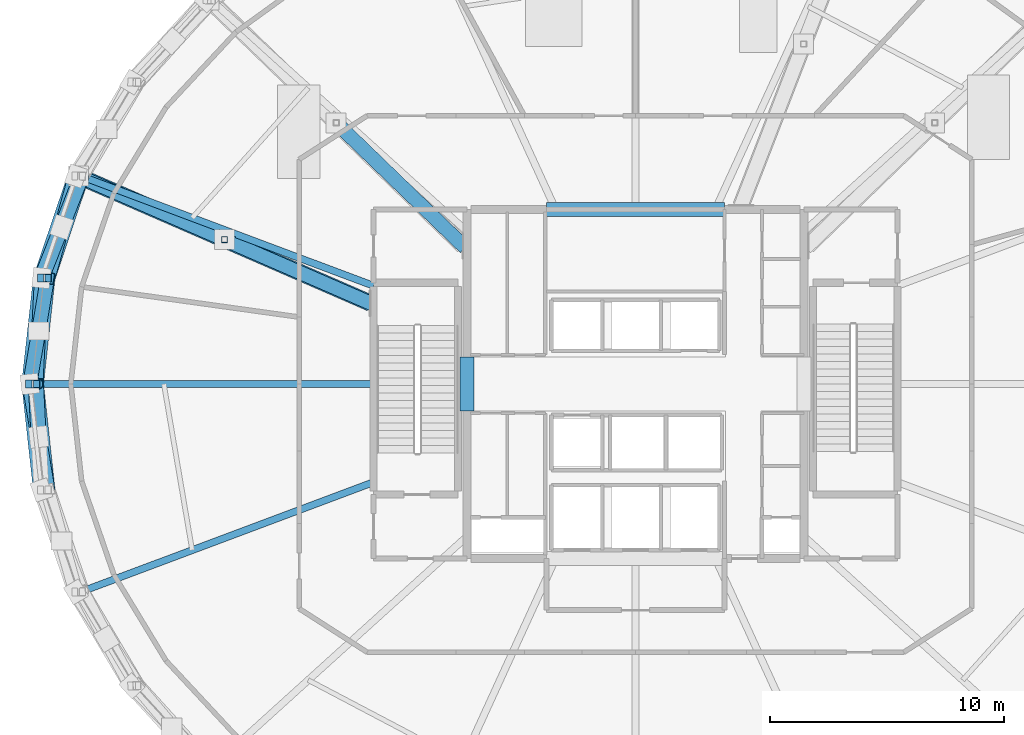
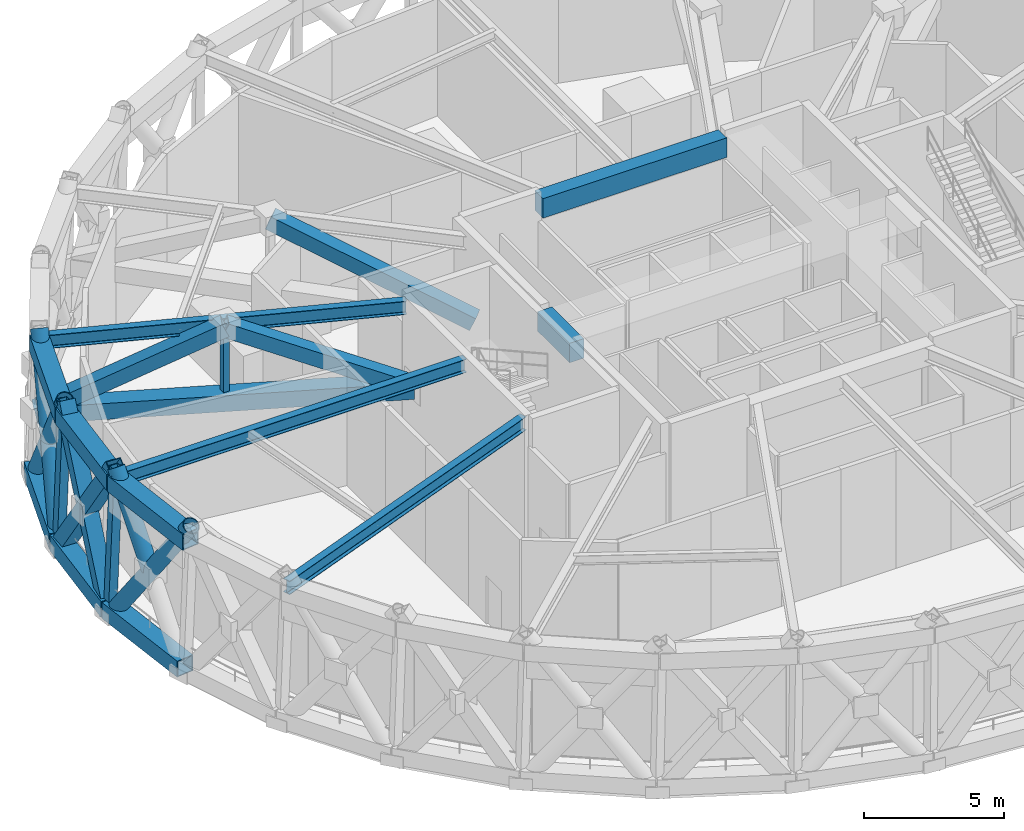
# One storey, part 2 of 15: 14 members, 12 beams.
"""IFC4 building model written with IfcOpenShell, lengths in metres."""

import ifcopenshell
import ifcopenshell.guid

model = None  # the IFC model being written
_history = None  # IfcOwnerHistory: only IFC2X3 demands one
_inside = {}  # id of a spatial element -> (the spatial element, [elements in it])
_under = {}  # id of a project, library or spatial element -> (it, [spatial elements below it])
_declared = {}  # id of a project -> (the project, [libraries it declares])
_typed = {}  # id of a type object -> (the type object, [elements of that type])
_made_of = {}  # id of a material, layer set ... -> (it, [elements and type objects made of it])


def new_model(schema):
    """Start an empty IFC model of exactly this schema.

    Asked for "IFC4X3", IfcOpenShell would pick the latest addendum, in which some entities
    have other attributes; the version numbers below select the first issue.
    IFC2X3 requires an IfcOwnerHistory on every rooted entity: one is made here for all.
    """
    global model, _history
    if schema == "IFC4X3":
        model = ifcopenshell.file(schema_version=(4, 3, 0, 0))
    else:
        model = ifcopenshell.file(schema=schema)
    _inside.clear()
    _under.clear()
    _declared.clear()
    _typed.clear()
    _made_of.clear()
    _history = None
    if model.schema == "IFC2X3":
        org = make("IfcOrganization", Name="unknown")
        user = make(
            "IfcPersonAndOrganization",
            ThePerson=make("IfcPerson", FamilyName="unknown"),
            TheOrganization=org,
        )
        app = make(
            "IfcApplication",
            ApplicationDeveloper=org,
            Version="unknown",
            ApplicationFullName="unknown",
            ApplicationIdentifier="unknown",
        )
        _history = make(
            "IfcOwnerHistory",
            OwningUser=user,
            OwningApplication=app,
            ChangeAction="ADDED",
            CreationDate=0,
        )
    return model


def make(cls, **values):
    """One entity of the class cls with the attributes given. An attribute that is None is left unset."""
    return model.create_entity(
        cls, **{name: value for name, value in values.items() if value is not None}
    )


def rooted(cls, **values):
    """An entity with a GlobalId (a new one), such as an element, a storey or a relation."""
    return make(cls, GlobalId=ifcopenshell.guid.new(), OwnerHistory=_history, **values)


def si_unit(unit_type, name, prefix=None):
    """IfcSIUnit, for example si_unit("LENGTHUNIT", "METRE", prefix="MILLI")."""
    return make("IfcSIUnit", UnitType=unit_type, Prefix=prefix, Name=name)


def assignment(units):
    """IfcUnitAssignment: the units of a project."""
    return None if units is None else make("IfcUnitAssignment", Units=units)


def point(xyz):
    """IfcCartesianPoint."""
    return None if xyz is None else make("IfcCartesianPoint", Coordinates=xyz)


def direction(xyz):
    """IfcDirection."""
    return None if xyz is None else make("IfcDirection", DirectionRatios=xyz)


def frame(location, z_axis=None, x_axis=None):
    """IfcAxis2Placement3D, a coordinate frame: its origin and axes. An axis left out is left unset."""
    return make(
        "IfcAxis2Placement3D",
        Location=point(location),
        Axis=direction(z_axis),
        RefDirection=direction(x_axis),
    )


def frame_2d(location, x_axis=None):
    """IfcAxis2Placement2D, a coordinate frame in the plane: its origin and x axis."""
    return make(
        "IfcAxis2Placement2D", Location=point(location), RefDirection=direction(x_axis)
    )


def origin():
    """The frame at (0, 0, 0) with its axes left unset."""
    return frame((0.0, 0.0, 0.0))


def origin_2d():
    """The frame at (0, 0) in the plane with its x axis left unset."""
    return frame_2d((0.0, 0.0))


def place(relative_to, where):
    """IfcLocalPlacement: puts the frame where relative to a parent placement (None: the world)."""
    return make(
        "IfcLocalPlacement", PlacementRelTo=relative_to, RelativePlacement=where
    )


def context(
    kind, dimensions, precision=None, world=None, true_north=None, identifier=None
):
    """IfcGeometricRepresentationContext, for example the 3D "Model" context."""
    return make(
        "IfcGeometricRepresentationContext",
        ContextIdentifier=identifier,
        ContextType=kind,
        CoordinateSpaceDimension=dimensions,
        Precision=precision,
        WorldCoordinateSystem=world,
        TrueNorth=true_north,
    )


def subcontext(parent, identifier, kind, view, scale=None):
    """IfcGeometricRepresentationSubContext, for example "Body" below "Model"."""
    return make(
        "IfcGeometricRepresentationSubContext",
        ContextIdentifier=identifier,
        ContextType=kind,
        ParentContext=parent,
        TargetScale=scale,
        TargetView=view,
    )


def project(units=None, contexts=None):
    """IfcProject with its units and contexts."""
    return rooted(
        "IfcProject",
        Name="project",
        RepresentationContexts=contexts,
        UnitsInContext=assignment(units),
    )


def spatial(cls, under=None, at=None, **own):
    """A site, building, storey or space (cls), placed at a placement, below another one or the project."""
    s = rooted(cls, ObjectPlacement=at, **own)
    if under is not None:
        _under.setdefault(under.id(), (under, []))[1].append(s)
    return s


def profile(cls, at=None, kind="AREA", **sizes):
    """A parametric profile (cls). Its sizes go by their IFC names, for example OverallWidth=200.0."""
    return make(cls, ProfileType=kind, Position=at, **sizes)


def rectangle(**sizes):
    """IfcRectangleProfileDef."""
    return profile("IfcRectangleProfileDef", **sizes)


def hollow_rectangle(**sizes):
    """IfcRectangleHollowProfileDef."""
    return profile("IfcRectangleHollowProfileDef", **sizes)


def hollow_circle(**sizes):
    """IfcCircleHollowProfileDef."""
    return profile("IfcCircleHollowProfileDef", **sizes)


def i_section(**sizes):
    """IfcIShapeProfileDef."""
    return profile("IfcIShapeProfileDef", **sizes)


def extrude(swept, where, along, depth):
    """IfcExtrudedAreaSolid: the profile swept, set in the frame where, extruded along a direction by depth."""
    return make(
        "IfcExtrudedAreaSolid",
        SweptArea=swept,
        Position=where,
        ExtrudedDirection=direction(along),
        Depth=depth,
    )


def shape(context_of_items, identifier, shape_type, items):
    """IfcShapeRepresentation: the items that make up one representation, for example the "Body"."""
    return make(
        "IfcShapeRepresentation",
        ContextOfItems=context_of_items,
        RepresentationIdentifier=identifier,
        RepresentationType=shape_type,
        Items=items,
    )


def material(Name=None, Category=None):
    """IfcMaterial."""
    return make("IfcMaterial", Name=Name, Category=Category)


def material_profile(
    of_material, cross_section, Name=None, Category=None, Priority=None
):
    """IfcMaterialProfile: a cross section and its material."""
    return make(
        "IfcMaterialProfile",
        Name=Name,
        Material=of_material,
        Profile=cross_section,
        Priority=Priority,
        Category=Category,
    )


def profile_set(profiles, Name=None, composite=None):
    """IfcMaterialProfileSet."""
    return make(
        "IfcMaterialProfileSet",
        Name=Name,
        MaterialProfiles=profiles,
        CompositeProfile=composite,
    )


def made_of(thing, what):
    """Note that an element or type object is made of a material, layer set ...; save() writes the relation."""
    if what is not None:
        _made_of.setdefault(what.id(), (what, []))[1].append(thing)
    return thing


def type_object(cls, material=None, **own):
    """A type object (cls), such as IfcWallType, which elements share."""
    return made_of(rooted(cls, **own), material)


def element(
    cls,
    number,
    at=None,
    inside=None,
    cuts=None,
    type_object=None,
    material=None,
    context=None,
    identifier="Body",
    shape_type=None,
    held_by="IfcProductDefinitionShape",
    body=None,
    shapes=None,
    **own,
):
    """One element of the class cls, such as IfcWall. Its Tag is "e" and its number.

    at: its placement. inside: the storey or other place that contains it. cuts: it is an
    opening in that element (IfcRelVoidsElement). A single representation is given by context,
    identifier, shape_type and body (its items); several are given by shapes. held_by: the class
    of the entity that holds the representations. save() writes the other relations.
    """
    e = rooted(cls, Tag="e%d" % number, ObjectPlacement=at, **own)
    if body is not None:
        shapes = [shape(context, identifier, shape_type, body)]
    if shapes is not None:
        e.Representation = make(held_by, Representations=shapes)
    if inside is not None:
        _inside.setdefault(inside.id(), (inside, []))[1].append(e)
    if cuts is not None:
        rooted(
            "IfcRelVoidsElement", RelatingBuildingElement=cuts, RelatedOpeningElement=e
        )
    if type_object is not None:
        _typed.setdefault(type_object.id(), (type_object, []))[1].append(e)
    return made_of(e, material)


def aggregate(whole, parts):
    """IfcRelAggregates: a whole, such as a stair, and the parts it consists of."""
    return rooted("IfcRelAggregates", RelatingObject=whole, RelatedObjects=parts)


def save(model, path):
    """Write the relations noted so far, then the file.

    IfcRelAggregates (storeys below a building ...), IfcRelContainedInSpatialStructure (elements
    in a storey), IfcRelDefinesByType, IfcRelAssociatesMaterial and IfcRelDeclares: one each for
    every whole, place, type object, material and project.
    """
    for whole, parts in _under.values():
        aggregate(whole, parts)
    for where, things in _inside.values():
        rooted(
            "IfcRelContainedInSpatialStructure",
            RelatedElements=things,
            RelatingStructure=where,
        )
    for kind, things in _typed.values():
        rooted("IfcRelDefinesByType", RelatedObjects=things, RelatingType=kind)
    for what, things in _made_of.values():
        rooted("IfcRelAssociatesMaterial", RelatedObjects=things, RelatingMaterial=what)
    for by, libraries in _declared.values():
        rooted("IfcRelDeclares", RelatingContext=by, RelatedDefinitions=libraries)
    model.write(path)


model = new_model("IFC4")

# Units and contexts
model_context = context("Model", 3, precision=1e-05, world=origin(), true_north=direction((0.0, 1.0)))
body_context = subcontext(model_context, "Body", "Model", "MODEL_VIEW")
ifc_project = project(units=[si_unit("LENGTHUNIT", "METRE"), si_unit("AREAUNIT", "SQUARE_METRE"), si_unit("VOLUMEUNIT", "CUBIC_METRE"), si_unit("PLANEANGLEUNIT", "RADIAN"), si_unit("MASSUNIT", "GRAM", prefix="KILO")], contexts=[model_context])

# Site, building, storey
site_placement = place(None, origin())
site = spatial("IfcSite", under=ifc_project, at=site_placement, CompositionType="ELEMENT")
building_placement = place(site_placement, origin())
building = spatial("IfcBuilding", under=site, at=building_placement, Name="Veldorina Hangang Commons", CompositionType="ELEMENT")
storey_placement = place(building_placement, frame((0.0, 0.0, 208.39990234375)))
storey = spatial("IfcBuildingStorey", under=building, at=storey_placement, Name="L54", CompositionType="ELEMENT", Elevation=208.39990234375)

# Beams
ifc_material_1 = material(Name="Steel SM460-TMC", Category="steel")
ifc_material_profile_1 = material_profile(ifc_material_1, hollow_rectangle(XDim=0.699951171875, YDim=0.699951171875, WallThickness=0.034912109375, at=origin_2d()), Name="BOX-700x700x35")
ifc_profile_set_1 = profile_set([ifc_material_profile_1], Name="Steel SM460-TMC")
beam_type_1 = type_object("IfcBeamType", Name="BM-BLT700", PredefinedType="BEAM", material=ifc_profile_set_1)
beam_1_placement = place(storey_placement, frame((8.335693359375, 32.87060546875, 5.81005859375), z_axis=(-0.317760524963, -0.948171001864, 0.0), x_axis=(0.948171001864, -0.317760524963, 0.0)))
element("IfcBeam", 1, at=beam_1_placement, inside=storey, type_object=beam_type_1, Name="L54 perimeter hoop ring beam 14", PredefinedType="BEAM", context=body_context, shape_type="SweptSolid", body=[
    extrude(hollow_rectangle(XDim=0.699951171875, YDim=0.699951171875, WallThickness=0.034912109375, at=origin_2d()), origin(), (0.0, 0.0, 1.0), 4.586181640625),
])
for number, where, z_axis, x_axis, name in (
    (2, (6.87841796875, 28.522216796875, 5.81005859375), (-0.108251747865, -0.994123512992, 0.0), (0.994123512992, -0.108251747865, 0.0), "L54 perimeter hoop ring beam 15"),
    (3, (6.385986328125, 24.0, 5.81005859375), (0.108251747865, -0.994123512992, 0.0), (0.994123512992, 0.108251747865, 0.0), "L54 perimeter hoop ring beam 16"),
):
    element("IfcBeam", number, at=place(storey_placement, frame(where, z_axis=z_axis, x_axis=x_axis)), inside=storey, type_object=beam_type_1, Name=name, PredefinedType="BEAM", context=body_context, shape_type="SweptSolid", body=[
        extrude(hollow_rectangle(XDim=0.699951171875, YDim=0.699951171875, WallThickness=0.034912109375, at=origin_2d()), origin(), (0.0, 0.0, 1.0), 4.548828125),
    ])
beam_2_placement = place(storey_placement, frame((8.118408203125, 32.874755859375, 0.35009765625), z_axis=(-0.32030776452, -0.947313536263, 0.0), x_axis=(0.947313536263, -0.32030776452, 0.0)))
element("IfcBeam", 4, at=beam_2_placement, inside=storey, type_object=beam_type_1, Name="L54 perimeter belt truss bottom chord 14", PredefinedType="BEAM", context=body_context, shape_type="SweptSolid", body=[
    extrude(hollow_rectangle(XDim=0.699951171875, YDim=0.699951171875, WallThickness=0.034912109375, at=origin_2d()), origin(), (0.0, 0.0, 1.0), 4.59228515625),
])
for number, where, z_axis, x_axis, name in (
    (5, (6.6474609375, 28.5244140625, 0.35009765625), (-0.109100928002, -0.994030677348, 0.0), (0.994030677348, -0.109100928002, 0.0), "L54 perimeter belt truss bottom chord 15"),
    (6, (6.15087890625, 24.0, 0.35009765625), (0.109100928002, -0.994030677348, 0.0), (0.994030677348, 0.109100928002, 0.0), "L54 perimeter belt truss bottom chord 16"),
):
    element("IfcBeam", number, at=place(storey_placement, frame(where, z_axis=z_axis, x_axis=x_axis)), inside=storey, type_object=beam_type_1, Name=name, PredefinedType="BEAM", context=body_context, shape_type="SweptSolid", body=[
        extrude(hollow_rectangle(XDim=0.699951171875, YDim=0.699951171875, WallThickness=0.034912109375, at=origin_2d()), origin(), (0.0, 0.0, 1.0), 4.551513671875),
    ])
beam_3_placement = place(storey_placement, frame((20.68994140625, 27.449951171875, 2.85009765625), z_axis=(-0.916979803091, 0.398933629471, 0.0), x_axis=(-0.398933629471, -0.916979803091, 0.0)))
element("IfcBeam", 7, at=beam_3_placement, inside=storey, type_object=beam_type_1, Name="L54 outrigger chord 04", PredefinedType="BEAM", context=body_context, shape_type="SweptSolid", body=[
    extrude(hollow_rectangle(XDim=0.699951171875, YDim=0.699951171875, WallThickness=0.034912109375, at=origin_2d()), origin(), (0.0, 0.0, 1.0), 13.59326171875),
])
ifc_material_2 = material(Name="Concrete C60/75", Category="concrete")
ifc_material_profile_2 = material_profile(ifc_material_2, rectangle(XDim=0.60009765625, YDim=0.85009765625, at=origin_2d()), Name="RC-CB-600x850")
ifc_profile_set_2 = profile_set([ifc_material_profile_2], Name="Concrete C60/75")
beam_type_2 = type_object("IfcBeamType", Name="BM-CB850", PredefinedType="LINTEL", material=ifc_profile_set_2)
beam_4_placement = place(storey_placement, frame((24.800048828125, 22.85009765625, 5.735107421875), z_axis=(0.0, 1.0, 0.0), x_axis=(-1.0, 0.0, 0.0)))
element("IfcBeam", 8, at=beam_4_placement, inside=storey, type_object=beam_type_2, Name="L54 W core coupling lintel beam", PredefinedType="LINTEL", context=body_context, shape_type="SweptSolid", body=[
    extrude(rectangle(XDim=0.60009765625, YDim=0.85009765625, at=origin_2d()), origin(), (0.0, 0.0, 1.0), 2.2998046875),
])
beam_5_placement = place(storey_placement, frame((28.199951171875, 31.449951171875, 5.735107421875), z_axis=(1.0, 0.0, 0.0), x_axis=(0.0, 1.0, 0.0)))
element("IfcBeam", 9, at=beam_5_placement, inside=storey, type_object=beam_type_2, Name="L54 north core coupling beam", PredefinedType="LINTEL", context=body_context, shape_type="SweptSolid", body=[
    extrude(rectangle(XDim=0.60009765625, YDim=0.85009765625, at=origin_2d()), origin(), (0.0, 0.0, 1.0), 7.60009765625),
])
ifc_material_profile_3 = material_profile(ifc_material_1, i_section(OverallWidth=0.300048828125, OverallDepth=0.587890625, WebThickness=0.011962890625, FlangeThickness=0.02001953125, FilletRadius=0.01806640625, at=origin_2d()), Name="H-588x300x12x20")
ifc_profile_set_3 = profile_set([ifc_material_profile_3], Name="Steel SM460-TMC")
beam_type_3 = type_object("IfcBeamType", Name="BM-FG588", PredefinedType="BEAM", material=ifc_profile_set_3)
beam_6_placement = place(storey_placement, frame((20.820068359375, 28.19091796875, 5.8662109375), z_axis=(-0.936377330538, 0.350995006879, 0.0), x_axis=(-0.350995006879, -0.936377330538, 0.0)))
element("IfcBeam", 10, at=beam_6_placement, inside=storey, type_object=beam_type_3, Name="L54 radial floor girder 08", PredefinedType="BEAM", context=body_context, shape_type="SweptSolid", body=[
    extrude(i_section(OverallWidth=0.300048828125, OverallDepth=0.587890625, WebThickness=0.011962890625, FlangeThickness=0.02001953125, FilletRadius=0.01806640625, at=origin_2d()), origin(), (0.0, 0.0, 1.0), 13.33251953125),
])
beam_7_placement = place(storey_placement, frame((20.820068359375, 24.0, 5.8662109375), z_axis=(-1.0, 0.0, 0.0), x_axis=(0.0, -1.0, 0.0)))
element("IfcBeam", 11, at=beam_7_placement, inside=storey, type_object=beam_type_3, Name="L54 radial floor girder 09", PredefinedType="BEAM", context=body_context, shape_type="SweptSolid", body=[
    extrude(i_section(OverallWidth=0.300048828125, OverallDepth=0.587890625, WebThickness=0.011962890625, FlangeThickness=0.02001953125, FilletRadius=0.01806640625, at=origin_2d()), origin(), (0.0, 0.0, 1.0), 14.43408203125),
])
beam_8_placement = place(storey_placement, frame((20.820068359375, 19.80908203125, 5.8662109375), z_axis=(-0.936377330538, -0.350995006879, 0.0), x_axis=(0.350995006879, -0.936377330538, 0.0)))
element("IfcBeam", 12, at=beam_8_placement, inside=storey, type_object=beam_type_3, Name="L54 radial floor girder 10", PredefinedType="BEAM", context=body_context, shape_type="SweptSolid", body=[
    extrude(i_section(OverallWidth=0.300048828125, OverallDepth=0.587890625, WebThickness=0.011962890625, FlangeThickness=0.02001953125, FilletRadius=0.01806640625, at=origin_2d()), origin(), (0.0, 0.0, 1.0), 13.33251953125),
])

# Members
ifc_material_profile_4 = material_profile(ifc_material_1, hollow_circle(Radius=0.324951171875, WallThickness=0.031982421875, at=origin_2d()), Name="CHS-650x32")
ifc_profile_set_4 = profile_set([ifc_material_profile_4], Name="Steel SM460-TMC")
member_type_1 = type_object("IfcMemberType", Name="DG-CHS650", PredefinedType="BRACE", material=ifc_profile_set_4)
member_1_placement = place(storey_placement, frame((8.118408203125, 32.874755859375, 0.0), z_axis=(-0.155300240983, -0.555547350818, 0.816853093371), x_axis=(0.963077819354, -0.269223167405, 0.0)))
element("IfcMember", 13, at=member_1_placement, inside=storey, type_object=member_type_1, Name="L54 continuous perimeter diagrid brace 14", PredefinedType="BRACE", context=body_context, shape_type="SweptSolid", body=[
    extrude(hollow_circle(Radius=0.324951171875, WallThickness=0.031982421875, at=origin_2d()), origin(), (0.0, 0.0, 1.0), 7.835205078125),
])
member_2_placement = place(storey_placement, frame((6.6474609375, 28.5244140625, 0.0), z_axis=(0.217442411131, 0.547947486334, 0.807757606007), x_axis=(-0.929489005776, 0.368849817869, 0.0)))
element("IfcMember", 14, at=member_2_placement, inside=storey, type_object=member_type_1, Name="L54 split perimeter diagrid lower brace 15", PredefinedType="BRACE", context=body_context, shape_type="SweptSolid", body=[
    extrude(hollow_circle(Radius=0.324951171875, WallThickness=0.031982421875, at=origin_2d()), origin(), (0.0, 0.0, 1.0), 3.964599609375),
])
member_3_placement = place(storey_placement, frame((7.509521484375, 30.69677734375, 3.202392578125), z_axis=(0.214327056659, 0.549047326153, 0.807843392266), x_axis=(-0.931540446295, 0.363637727575, 0.0)))
element("IfcMember", 15, at=member_3_placement, inside=storey, type_object=member_type_1, Name="L54 split perimeter diagrid upper brace 15", PredefinedType="BRACE", context=body_context, shape_type="SweptSolid", body=[
    extrude(hollow_circle(Radius=0.324951171875, WallThickness=0.031982421875, at=origin_2d()), origin(), (0.0, 0.0, 1.0), 3.95849609375),
])
member_4_placement = place(storey_placement, frame((6.15087890625, 24.0, 0.0), z_axis=(0.095363332942, -0.574412895202, 0.812991796119), x_axis=(0.986497370538, 0.163777098283, 0.0)))
element("IfcMember", 16, at=member_4_placement, inside=storey, type_object=member_type_1, Name="L54 continuous perimeter diagrid brace 16", PredefinedType="BRACE", context=body_context, shape_type="SweptSolid", body=[
    extrude(hollow_circle(Radius=0.324951171875, WallThickness=0.031982421875, at=origin_2d()), origin(), (0.0, 0.0, 1.0), 7.872314453125),
])
member_5_placement = place(storey_placement, frame((6.5263671875, 21.73828125, 3.201171875), z_axis=(-0.029711822494, 0.577044703538, 0.816171929022), x_axis=(-0.998677038604, -0.051421518503, 0.0)))
element("IfcMember", 17, at=member_5_placement, inside=storey, type_object=member_type_1, Name="L54 split perimeter diagrid upper brace 17", PredefinedType="BRACE", context=body_context, shape_type="SweptSolid", body=[
    extrude(hollow_circle(Radius=0.324951171875, WallThickness=0.031982421875, at=origin_2d()), origin(), (0.0, 0.0, 1.0), 3.91943359375),
])
ifc_material_profile_5 = material_profile(ifc_material_1, hollow_rectangle(XDim=0.60009765625, YDim=0.60009765625, WallThickness=0.030029296875, at=origin_2d()), Name="BOX-600x600x30")
ifc_profile_set_5 = profile_set([ifc_material_profile_5], Name="Steel SM460-TMC")
member_type_2 = type_object("IfcMemberType", Name="OR-BOX600", PredefinedType="BRACE", material=ifc_profile_set_5)
member_6_placement = place(storey_placement, frame((6.6474609375, 28.5244140625, 0.0), z_axis=(-0.030293921396, -0.576985561466, 0.816192342641), x_axis=(0.998624519819, -0.052431559345, 0.0)))
element("IfcMember", 18, at=member_6_placement, inside=storey, type_object=member_type_2, Name="L54 belt truss continuous brace 15", PredefinedType="BRACE", context=body_context, shape_type="SweptSolid", body=[
    extrude(hollow_rectangle(XDim=0.60009765625, YDim=0.60009765625, WallThickness=0.030029296875, at=origin_2d()), origin(), (0.0, 0.0, 1.0), 7.841552734375),
])
member_7_placement = place(storey_placement, frame((6.15087890625, 24.0, 0.0), z_axis=(0.095979996626, 0.574329915208, 0.812977852555), x_axis=(-0.986321883601, 0.164830646207, 0.0)))
element("IfcMember", 19, at=member_7_placement, inside=storey, type_object=member_type_2, Name="L54 belt truss split lower brace 16", PredefinedType="BRACE", context=body_context, shape_type="SweptSolid", body=[
    extrude(hollow_rectangle(XDim=0.60009765625, YDim=0.60009765625, WallThickness=0.030029296875, at=origin_2d()), origin(), (0.0, 0.0, 1.0), 3.9375),
])
member_8_placement = place(storey_placement, frame((6.52880859375, 26.261474609375, 3.201171875), z_axis=(0.094746187777, 0.574495712266, 0.813005434477), x_axis=(-0.986671868899, 0.162722534162, 0.0)))
element("IfcMember", 20, at=member_8_placement, inside=storey, type_object=member_type_2, Name="L54 belt truss split upper brace 16", PredefinedType="BRACE", context=body_context, shape_type="SweptSolid", body=[
    extrude(hollow_rectangle(XDim=0.60009765625, YDim=0.60009765625, WallThickness=0.030029296875, at=origin_2d()), origin(), (0.0, 0.0, 1.0), 3.934814453125),
])
member_9_placement = place(storey_placement, frame((24.64990234375, 29.89990234375, 2.85009765625), z_axis=(-0.662886326261, 0.64139989242, 0.386248490559), x_axis=(-0.695363760036, -0.718657944525, 0.0)))
element("IfcMember", 21, at=member_9_placement, inside=storey, type_object=member_type_2, Name="L54 outrigger inner web diagonal 03", PredefinedType="BRACE", context=body_context, shape_type="SweptSolid", body=[
    extrude(hollow_rectangle(XDim=0.60009765625, YDim=0.60009765625, WallThickness=0.030029296875, at=origin_2d()), origin(), (0.0, 0.0, 1.0), 8.18115234375),
])
for number, where, z_axis, x_axis, name in (
    (22, (20.68994140625, 27.449951171875, 2.85009765625), (-0.831507446793, 0.361748734883, 0.421584177524), (-0.398933629471, -0.916979803091, 0.0), "L54 outrigger inner web diagonal 04"),
    (23, (14.45751953125, 30.161376953125, 6.010009765625), (-0.831507446793, 0.361748734883, -0.421584177524), (-0.398933629471, -0.916979803091, 0.0), "L54 outrigger outer web diagonal 04"),
):
    element("IfcMember", number, at=place(storey_placement, frame(where, z_axis=z_axis, x_axis=x_axis)), inside=storey, type_object=member_type_2, Name=name, PredefinedType="BRACE", context=body_context, shape_type="SweptSolid", body=[
        extrude(hollow_rectangle(XDim=0.60009765625, YDim=0.60009765625, WallThickness=0.030029296875, at=origin_2d()), origin(), (0.0, 0.0, 1.0), 7.495361328125),
    ])
ifc_material_3 = material(Name="Steel SM355-TMC", Category="steel")
ifc_material_profile_6 = material_profile(ifc_material_3, hollow_rectangle(XDim=0.25, YDim=0.25, WallThickness=0.011962890625, at=origin_2d()), Name="SHS-250x250x12")
ifc_profile_set_6 = profile_set([ifc_material_profile_6], Name="Steel SM355-TMC")
member_type_3 = type_object("IfcMemberType", Name="STR-SHS250", PredefinedType="STRUT", material=ifc_profile_set_6)
member_10_placement = place(storey_placement, frame((14.45751953125, 30.161376953125, 2.85009765625), z_axis=(0.0, 0.0, 1.0), x_axis=(1.0, 0.0, 0.0)))
element("IfcMember", 24, at=member_10_placement, inside=storey, type_object=member_type_3, Name="L54 outrigger mid vertical strut 04", PredefinedType="STRUT", context=body_context, shape_type="SweptSolid", body=[
    extrude(hollow_rectangle(XDim=0.25, YDim=0.25, WallThickness=0.011962890625, at=origin_2d()), origin(), (0.0, 0.0, 1.0), 3.159912109375),
])
ifc_material_profile_7 = material_profile(ifc_material_3, hollow_rectangle(XDim=0.35009765625, YDim=0.35009765625, WallThickness=0.01611328125, at=origin_2d()), Name="SHS-350x350x16")
ifc_profile_set_7 = profile_set([ifc_material_profile_7], Name="Steel SM355-TMC")
member_type_4 = type_object("IfcMemberType", Name="STR-SHS350", PredefinedType="STRUT", material=ifc_profile_set_7)
for number, where, z_axis, x_axis, name in (
    (25, (6.6474609375, 28.5244140625, 0.0), (0.039678814495, -0.000381160562, 0.999212413052), (0.009605704747, 0.999953864154, 0.0), "L54 perimeter ring node post 15"),
    (26, (6.15087890625, 24.0, 0.0), (0.040439903599, 0.0, 0.999181972514), (0.0, 1.0, 0.0), "L54 perimeter ring node post 16"),
):
    element("IfcMember", number, at=place(storey_placement, frame(where, z_axis=z_axis, x_axis=x_axis)), inside=storey, type_object=member_type_4, Name=name, PredefinedType="STRUT", context=body_context, shape_type="SweptSolid", body=[
        extrude(hollow_rectangle(XDim=0.35009765625, YDim=0.35009765625, WallThickness=0.01611328125, at=origin_2d()), origin(), (0.0, 0.0, 1.0), 6.4052734375),
    ])

save(model, "model.ifc")
